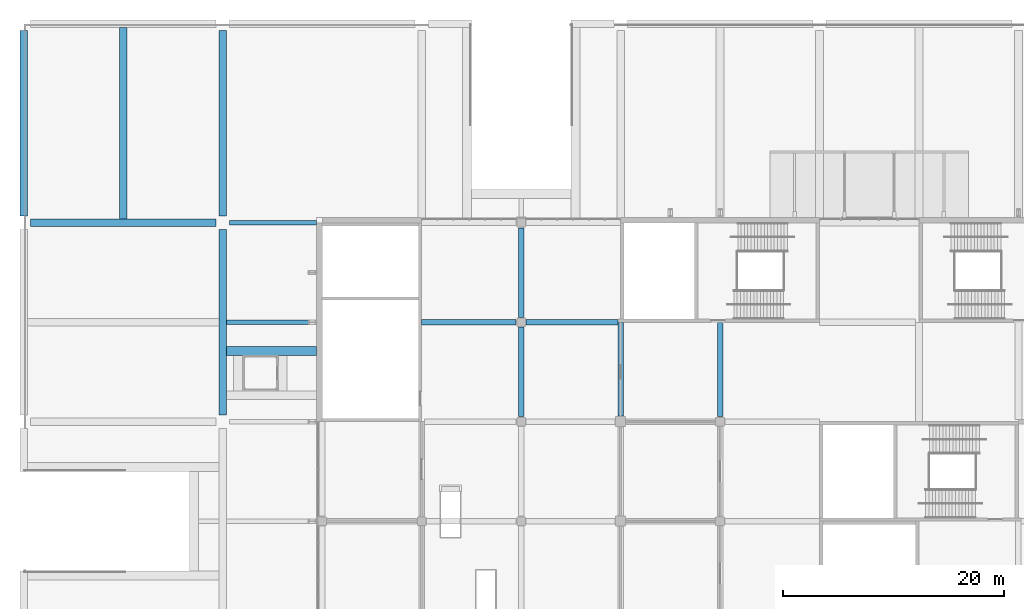
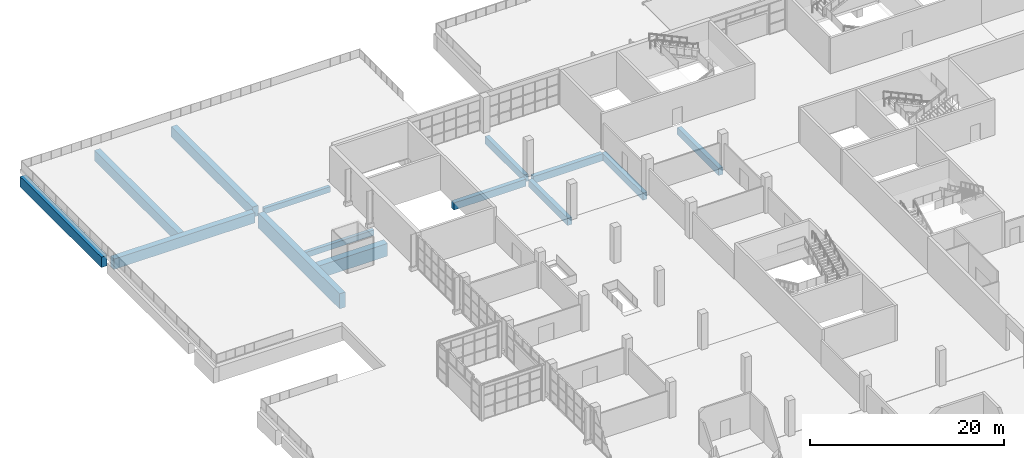
# One storey, part 53 of 168: 14 beams.
"""IFC4 building model written with IfcOpenShell, lengths in metres."""

from ifc_helpers import new_model, si_unit, direction, frame, origin, origin_2d, place, context, subcontext, project, spatial, rectangle, extrude, material, material_profile, profile_set, type_object, element, save


model = new_model("IFC4")

# Units and contexts
model_context = context("Model", 3, precision=1e-05, world=origin(), true_north=direction((0.0, 1.0)))
body_context = subcontext(model_context, "Body", "Model", "MODEL_VIEW")
ifc_project = project(units=[si_unit("LENGTHUNIT", "METRE"), si_unit("AREAUNIT", "SQUARE_METRE"), si_unit("VOLUMEUNIT", "CUBIC_METRE"), si_unit("PLANEANGLEUNIT", "RADIAN"), si_unit("MASSUNIT", "GRAM", prefix="KILO")], contexts=[model_context])

# Site, building, storey
site_placement = place(None, origin())
site = spatial("IfcSite", under=ifc_project, at=site_placement, CompositionType="ELEMENT")
building_placement = place(site_placement, origin())
building = spatial("IfcBuilding", under=site, at=building_placement, Name="Silverbay Arena", CompositionType="ELEMENT")
storey_placement = place(building_placement, frame((0.0, 0.0, 7.0)))
storey = spatial("IfcBuildingStorey", under=building, at=storey_placement, Name="L01", CompositionType="ELEMENT", Elevation=7.0)

# Beams
ifc_material_1 = material(Name="Concrete Grade C45", Category="concrete")
ifc_material_profile_1 = material_profile(ifc_material_1, rectangle(XDim=0.39990234375, YDim=0.699951171875, at=origin_2d()), Name="RC 400x700")
ifc_profile_set_1 = profile_set([ifc_material_profile_1], Name="Concrete Grade C45")
beam_type_1 = type_object("IfcBeamType", Name="RC beam 400x700", PredefinedType="BEAM", material=ifc_profile_set_1)
beam_1_placement = place(storey_placement, frame((18.35009765625, 135.0, -0.800048828125), z_axis=(1.0, 0.0, 0.0), x_axis=(0.0, 1.0, 0.0)))
element("IfcBeam", 1, at=beam_1_placement, inside=storey, type_object=beam_type_1, Name="Deck row beam 094", PredefinedType="BEAM", context=body_context, shape_type="SweptSolid", body=[
    extrude(rectangle(XDim=0.39990234375, YDim=0.699951171875, at=origin_2d()), origin(), (0.0, 0.0, 1.0), 8.14990234375),
])
beam_2_placement = place(storey_placement, frame((18.60009765625, 144.0, -0.800048828125), z_axis=(1.0, 0.0, 0.0), x_axis=(0.0, 1.0, 0.0)))
element("IfcBeam", 2, at=beam_2_placement, inside=storey, type_object=beam_type_1, Name="Deck row beam 096", PredefinedType="BEAM", context=body_context, shape_type="SweptSolid", body=[
    extrude(rectangle(XDim=0.39990234375, YDim=0.699951171875, at=origin_2d()), origin(), (0.0, 0.0, 1.0), 7.89990234375),
])
ifc_material_2 = material(Name="Concrete Grade C45", Category="concrete")
ifc_material_profile_2 = material_profile(ifc_material_2, rectangle(XDim=0.5, YDim=0.89990234375, at=origin_2d()), Name="RC 500x900")
ifc_profile_set_2 = profile_set([ifc_material_profile_2], Name="Concrete Grade C45")
beam_type_2 = type_object("IfcBeamType", Name="RC beam 500x900", PredefinedType="BEAM", material=ifc_profile_set_2)
beam_3_placement = place(storey_placement, frame((36.0, 135.0, -0.800048828125), z_axis=(1.0, 0.0, 0.0), x_axis=(0.0, 1.0, 0.0)))
element("IfcBeam", 3, at=beam_3_placement, inside=storey, type_object=beam_type_2, Name="Floor beam L01 163", PredefinedType="BEAM", context=body_context, shape_type="SweptSolid", body=[
    extrude(rectangle(XDim=0.5, YDim=0.89990234375, at=origin_2d()), origin(), (0.0, 0.0, 1.0), 8.550048828125),
])
beam_4_placement = place(storey_placement, frame((45.449951171875, 135.0, -0.800048828125), z_axis=(1.0, 0.0, 0.0), x_axis=(0.0, 1.0, 0.0)))
element("IfcBeam", 4, at=beam_4_placement, inside=storey, type_object=beam_type_2, Name="Floor beam L01 164", PredefinedType="BEAM", context=body_context, shape_type="SweptSolid", body=[
    extrude(rectangle(XDim=0.5, YDim=0.89990234375, at=origin_2d()), origin(), (0.0, 0.0, 1.0), 8.300048828125),
])
for number, where, z_axis, x_axis, name in (
    (5, (45.0, 126.449951171875, -0.800048828125), (0.0, 1.0, 0.0), (-1.0, 0.0, 0.0), "Floor beam L01 213"),
    (6, (45.0, 135.449951171875, -0.800048828125), (0.0, 1.0, 0.0), (-1.0, 0.0, 0.0), "Floor beam L01 214"),
):
    element("IfcBeam", number, at=place(storey_placement, frame(where, z_axis=z_axis, x_axis=x_axis)), inside=storey, type_object=beam_type_2, Name=name, PredefinedType="BEAM", context=body_context, shape_type="SweptSolid", body=[
        extrude(rectangle(XDim=0.5, YDim=0.89990234375, at=origin_2d()), origin(), (0.0, 0.0, 1.0), 8.10009765625),
    ])
beam_5_placement = place(storey_placement, frame((54.0, 126.5, -0.800048828125), z_axis=(0.0, 1.0, 0.0), x_axis=(-1.0, 0.0, 0.0)))
element("IfcBeam", 7, at=beam_5_placement, inside=storey, type_object=beam_type_2, Name="Floor beam L01 222", PredefinedType="BEAM", context=body_context, shape_type="SweptSolid", body=[
    extrude(rectangle(XDim=0.5, YDim=0.89990234375, at=origin_2d()), origin(), (0.0, 0.0, 1.0), 8.5),
])
beam_6_placement = place(storey_placement, frame((63.0, 126.449951171875, -0.800048828125), z_axis=(0.0, 1.0, 0.0), x_axis=(-1.0, 0.0, 0.0)))
element("IfcBeam", 8, at=beam_6_placement, inside=storey, type_object=beam_type_2, Name="Floor beam L01 230", PredefinedType="BEAM", context=body_context, shape_type="SweptSolid", body=[
    extrude(rectangle(XDim=0.5, YDim=0.89990234375, at=origin_2d()), origin(), (0.0, 0.0, 1.0), 8.550048828125),
])
ifc_material_3 = material(Name="Concrete Grade C45", Category="concrete")
ifc_material_profile_3 = material_profile(ifc_material_3, rectangle(XDim=0.699951171875, YDim=1.300048828125, at=origin_2d()), Name="RC 700x1300")
ifc_profile_set_3 = profile_set([ifc_material_profile_3], Name="Concrete Grade C45")
beam_type_3 = type_object("IfcBeamType", Name="RC girder 700x1300", PredefinedType="BEAM", material=ifc_profile_set_3)
beam_7_placement = place(storey_placement, frame((0.60009765625, 144.0, -1.10009765625), z_axis=(1.0, 0.0, 0.0), x_axis=(0.0, 1.0, 0.0)))
element("IfcBeam", 9, at=beam_7_placement, inside=storey, type_object=beam_type_3, Name="Deck row beam 095", PredefinedType="BEAM", context=body_context, shape_type="SweptSolid", body=[
    extrude(rectangle(XDim=0.699951171875, YDim=1.300048828125, at=origin_2d()), origin(), (0.0, 0.0, 1.0), 16.7998046875),
])
beam_8_placement = place(storey_placement, frame((9.0, 144.35009765625, -1.10009765625), z_axis=(0.0, 1.0, 0.0), x_axis=(-1.0, 0.0, 0.0)))
element("IfcBeam", 10, at=beam_8_placement, inside=storey, type_object=beam_type_3, Name="Deck secondary beam 098", PredefinedType="BEAM", context=body_context, shape_type="SweptSolid", body=[
    extrude(rectangle(XDim=0.699951171875, YDim=1.300048828125, at=origin_2d()), origin(), (0.0, 0.0, 1.0), 17.2998046875),
])
for number, where, z_axis, x_axis, name in (
    (11, (0.0, 144.60009765625, -1.10009765625), (0.0, 1.0, 0.0), (-1.0, 0.0, 0.0), "Deck girder 139"),
    (12, (18.0, 144.60009765625, -1.10009765625), (0.0, 1.0, 0.0), (-1.0, 0.0, 0.0), "Deck girder 139"),
):
    element("IfcBeam", number, at=place(storey_placement, frame(where, z_axis=z_axis, x_axis=x_axis)), inside=storey, type_object=beam_type_3, Name=name, PredefinedType="BEAM", context=body_context, shape_type="SweptSolid", body=[
        extrude(rectangle(XDim=0.699951171875, YDim=1.300048828125, at=origin_2d()), origin(), (0.0, 0.0, 1.0), 16.7998046875),
    ])
ifc_material_4 = material(Name="Concrete Grade C45", Category="concrete")
ifc_material_profile_4 = material_profile(ifc_material_4, rectangle(XDim=0.699951171875, YDim=1.89990234375, at=origin_2d()), Name="RC 700x1900")
ifc_profile_set_4 = profile_set([ifc_material_profile_4], Name="Concrete Grade C45")
beam_type_4 = type_object("IfcBeamType", Name="RC girder 700x1900", PredefinedType="BEAM", material=ifc_profile_set_4)
beam_9_placement = place(storey_placement, frame((18.0, 126.60009765625, -1.39990234375), z_axis=(0.0, 1.0, 0.0), x_axis=(-1.0, 0.0, 0.0)))
element("IfcBeam", 13, at=beam_9_placement, inside=storey, type_object=beam_type_4, Name="Deck girder 139", PredefinedType="BEAM", context=body_context, shape_type="SweptSolid", body=[
    extrude(rectangle(XDim=0.699951171875, YDim=1.89990234375, at=origin_2d()), origin(), (0.0, 0.0, 1.0), 16.7998046875),
])
ifc_material_5 = material(Name="Concrete Grade C45", Category="concrete")
ifc_material_profile_5 = material_profile(ifc_material_5, rectangle(XDim=0.800048828125, YDim=1.60009765625, at=origin_2d()), Name="RC 800x1600")
ifc_profile_set_5 = profile_set([ifc_material_profile_5], Name="Concrete Grade C45")
beam_type_5 = type_object("IfcBeamType", Name="RC trimmer beam 800x1600", PredefinedType="BEAM", material=ifc_profile_set_5)
beam_10_placement = place(storey_placement, frame((18.35009765625, 132.409912109375, -1.25), z_axis=(1.0, 0.0, 0.0), x_axis=(0.0, 1.0, 0.0)))
element("IfcBeam", 14, at=beam_10_placement, inside=storey, type_object=beam_type_5, Name="Deck trimmer 064", PredefinedType="BEAM", context=body_context, shape_type="SweptSolid", body=[
    extrude(rectangle(XDim=0.800048828125, YDim=1.60009765625, at=origin_2d()), origin(), (0.0, 0.0, 1.0), 8.14990234375),
])

save(model, "model.ifc")
